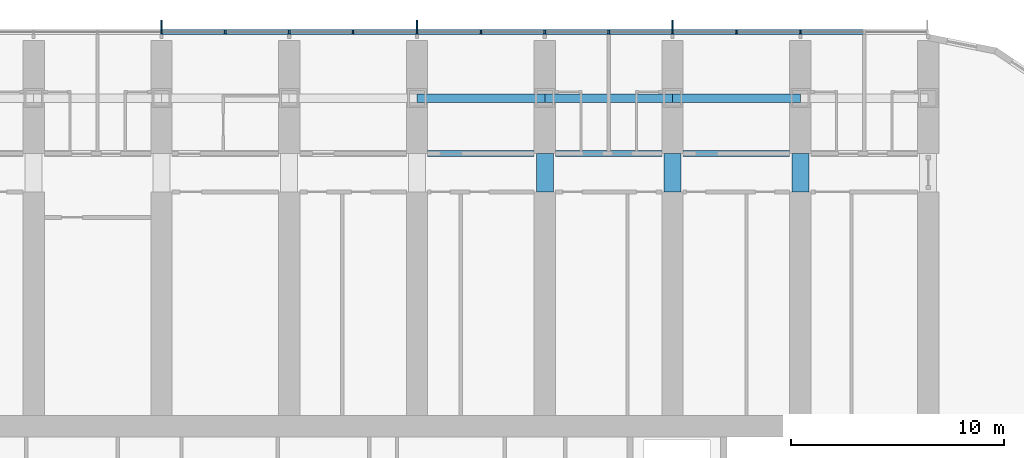
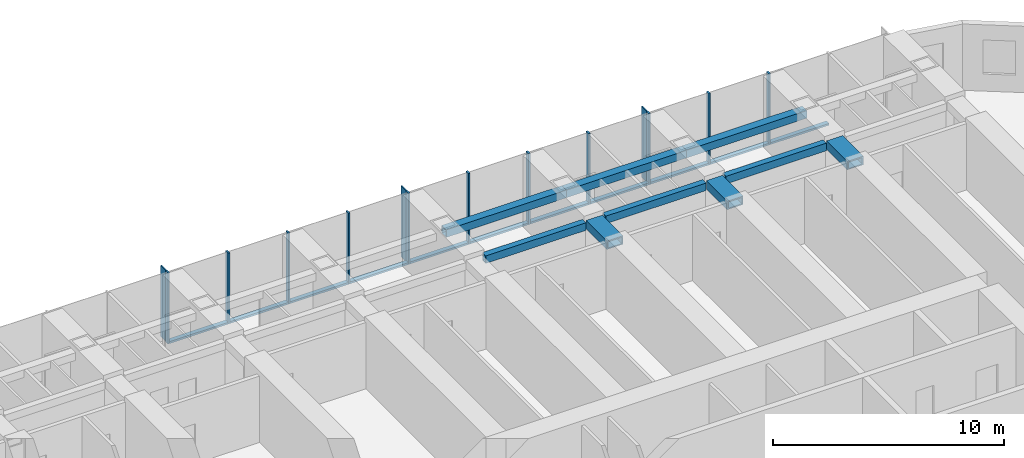
# One storey, part 5 of 23: 25 members, 9 beams, 1 element without a shape of its own.
"""IFC4 building model written with IfcOpenShell, lengths in metres."""

import ifcopenshell
import ifcopenshell.guid

model = None  # the IFC model being written
_history = None  # IfcOwnerHistory: only IFC2X3 demands one
_inside = {}  # id of a spatial element -> (the spatial element, [elements in it])
_under = {}  # id of a project, library or spatial element -> (it, [spatial elements below it])
_declared = {}  # id of a project -> (the project, [libraries it declares])
_typed = {}  # id of a type object -> (the type object, [elements of that type])
_made_of = {}  # id of a material, layer set ... -> (it, [elements and type objects made of it])


def new_model(schema):
    """Start an empty IFC model of exactly this schema.

    Asked for "IFC4X3", IfcOpenShell would pick the latest addendum, in which some entities
    have other attributes; the version numbers below select the first issue.
    IFC2X3 requires an IfcOwnerHistory on every rooted entity: one is made here for all.
    """
    global model, _history
    if schema == "IFC4X3":
        model = ifcopenshell.file(schema_version=(4, 3, 0, 0))
    else:
        model = ifcopenshell.file(schema=schema)
    _inside.clear()
    _under.clear()
    _declared.clear()
    _typed.clear()
    _made_of.clear()
    _history = None
    if model.schema == "IFC2X3":
        org = make("IfcOrganization", Name="unknown")
        user = make(
            "IfcPersonAndOrganization",
            ThePerson=make("IfcPerson", FamilyName="unknown"),
            TheOrganization=org,
        )
        app = make(
            "IfcApplication",
            ApplicationDeveloper=org,
            Version="unknown",
            ApplicationFullName="unknown",
            ApplicationIdentifier="unknown",
        )
        _history = make(
            "IfcOwnerHistory",
            OwningUser=user,
            OwningApplication=app,
            ChangeAction="ADDED",
            CreationDate=0,
        )
    return model


def make(cls, **values):
    """One entity of the class cls with the attributes given. An attribute that is None is left unset."""
    return model.create_entity(
        cls, **{name: value for name, value in values.items() if value is not None}
    )


def rooted(cls, **values):
    """An entity with a GlobalId (a new one), such as an element, a storey or a relation."""
    return make(cls, GlobalId=ifcopenshell.guid.new(), OwnerHistory=_history, **values)


def si_unit(unit_type, name, prefix=None):
    """IfcSIUnit, for example si_unit("LENGTHUNIT", "METRE", prefix="MILLI")."""
    return make("IfcSIUnit", UnitType=unit_type, Prefix=prefix, Name=name)


def assignment(units):
    """IfcUnitAssignment: the units of a project."""
    return None if units is None else make("IfcUnitAssignment", Units=units)


def point(xyz):
    """IfcCartesianPoint."""
    return None if xyz is None else make("IfcCartesianPoint", Coordinates=xyz)


def direction(xyz):
    """IfcDirection."""
    return None if xyz is None else make("IfcDirection", DirectionRatios=xyz)


def frame(location, z_axis=None, x_axis=None):
    """IfcAxis2Placement3D, a coordinate frame: its origin and axes. An axis left out is left unset."""
    return make(
        "IfcAxis2Placement3D",
        Location=point(location),
        Axis=direction(z_axis),
        RefDirection=direction(x_axis),
    )


def frame_2d(location, x_axis=None):
    """IfcAxis2Placement2D, a coordinate frame in the plane: its origin and x axis."""
    return make(
        "IfcAxis2Placement2D", Location=point(location), RefDirection=direction(x_axis)
    )


def origin():
    """The frame at (0, 0, 0) with its axes left unset."""
    return frame((0.0, 0.0, 0.0))


def origin_2d():
    """The frame at (0, 0) in the plane with its x axis left unset."""
    return frame_2d((0.0, 0.0))


def place(relative_to, where):
    """IfcLocalPlacement: puts the frame where relative to a parent placement (None: the world)."""
    return make(
        "IfcLocalPlacement", PlacementRelTo=relative_to, RelativePlacement=where
    )


def context(
    kind, dimensions, precision=None, world=None, true_north=None, identifier=None
):
    """IfcGeometricRepresentationContext, for example the 3D "Model" context."""
    return make(
        "IfcGeometricRepresentationContext",
        ContextIdentifier=identifier,
        ContextType=kind,
        CoordinateSpaceDimension=dimensions,
        Precision=precision,
        WorldCoordinateSystem=world,
        TrueNorth=true_north,
    )


def subcontext(parent, identifier, kind, view, scale=None):
    """IfcGeometricRepresentationSubContext, for example "Body" below "Model"."""
    return make(
        "IfcGeometricRepresentationSubContext",
        ContextIdentifier=identifier,
        ContextType=kind,
        ParentContext=parent,
        TargetScale=scale,
        TargetView=view,
    )


def project(units=None, contexts=None):
    """IfcProject with its units and contexts."""
    return rooted(
        "IfcProject",
        Name="project",
        RepresentationContexts=contexts,
        UnitsInContext=assignment(units),
    )


def spatial(cls, under=None, at=None, **own):
    """A site, building, storey or space (cls), placed at a placement, below another one or the project."""
    s = rooted(cls, ObjectPlacement=at, **own)
    if under is not None:
        _under.setdefault(under.id(), (under, []))[1].append(s)
    return s


def profile(cls, at=None, kind="AREA", **sizes):
    """A parametric profile (cls). Its sizes go by their IFC names, for example OverallWidth=200.0."""
    return make(cls, ProfileType=kind, Position=at, **sizes)


def rectangle(**sizes):
    """IfcRectangleProfileDef."""
    return profile("IfcRectangleProfileDef", **sizes)


def hollow_rectangle(**sizes):
    """IfcRectangleHollowProfileDef."""
    return profile("IfcRectangleHollowProfileDef", **sizes)


def extrude(swept, where, along, depth):
    """IfcExtrudedAreaSolid: the profile swept, set in the frame where, extruded along a direction by depth."""
    return make(
        "IfcExtrudedAreaSolid",
        SweptArea=swept,
        Position=where,
        ExtrudedDirection=direction(along),
        Depth=depth,
    )


def shape(context_of_items, identifier, shape_type, items):
    """IfcShapeRepresentation: the items that make up one representation, for example the "Body"."""
    return make(
        "IfcShapeRepresentation",
        ContextOfItems=context_of_items,
        RepresentationIdentifier=identifier,
        RepresentationType=shape_type,
        Items=items,
    )


def material(Name=None, Category=None):
    """IfcMaterial."""
    return make("IfcMaterial", Name=Name, Category=Category)


def material_profile(
    of_material, cross_section, Name=None, Category=None, Priority=None
):
    """IfcMaterialProfile: a cross section and its material."""
    return make(
        "IfcMaterialProfile",
        Name=Name,
        Material=of_material,
        Profile=cross_section,
        Priority=Priority,
        Category=Category,
    )


def profile_set(profiles, Name=None, composite=None):
    """IfcMaterialProfileSet."""
    return make(
        "IfcMaterialProfileSet",
        Name=Name,
        MaterialProfiles=profiles,
        CompositeProfile=composite,
    )


def made_of(thing, what):
    """Note that an element or type object is made of a material, layer set ...; save() writes the relation."""
    if what is not None:
        _made_of.setdefault(what.id(), (what, []))[1].append(thing)
    return thing


def type_object(cls, material=None, **own):
    """A type object (cls), such as IfcWallType, which elements share."""
    return made_of(rooted(cls, **own), material)


def element(
    cls,
    number,
    at=None,
    inside=None,
    cuts=None,
    type_object=None,
    material=None,
    context=None,
    identifier="Body",
    shape_type=None,
    held_by="IfcProductDefinitionShape",
    body=None,
    shapes=None,
    **own,
):
    """One element of the class cls, such as IfcWall. Its Tag is "e" and its number.

    at: its placement. inside: the storey or other place that contains it. cuts: it is an
    opening in that element (IfcRelVoidsElement). A single representation is given by context,
    identifier, shape_type and body (its items); several are given by shapes. held_by: the class
    of the entity that holds the representations. save() writes the other relations.
    """
    e = rooted(cls, Tag="e%d" % number, ObjectPlacement=at, **own)
    if body is not None:
        shapes = [shape(context, identifier, shape_type, body)]
    if shapes is not None:
        e.Representation = make(held_by, Representations=shapes)
    if inside is not None:
        _inside.setdefault(inside.id(), (inside, []))[1].append(e)
    if cuts is not None:
        rooted(
            "IfcRelVoidsElement", RelatingBuildingElement=cuts, RelatedOpeningElement=e
        )
    if type_object is not None:
        _typed.setdefault(type_object.id(), (type_object, []))[1].append(e)
    return made_of(e, material)


def aggregate(whole, parts):
    """IfcRelAggregates: a whole, such as a stair, and the parts it consists of."""
    return rooted("IfcRelAggregates", RelatingObject=whole, RelatedObjects=parts)


def save(model, path):
    """Write the relations noted so far, then the file.

    IfcRelAggregates (storeys below a building ...), IfcRelContainedInSpatialStructure (elements
    in a storey), IfcRelDefinesByType, IfcRelAssociatesMaterial and IfcRelDeclares: one each for
    every whole, place, type object, material and project.
    """
    for whole, parts in _under.values():
        aggregate(whole, parts)
    for where, things in _inside.values():
        rooted(
            "IfcRelContainedInSpatialStructure",
            RelatedElements=things,
            RelatingStructure=where,
        )
    for kind, things in _typed.values():
        rooted("IfcRelDefinesByType", RelatedObjects=things, RelatingType=kind)
    for what, things in _made_of.values():
        rooted("IfcRelAssociatesMaterial", RelatedObjects=things, RelatingMaterial=what)
    for by, libraries in _declared.values():
        rooted("IfcRelDeclares", RelatingContext=by, RelatedDefinitions=libraries)
    model.write(path)


model = new_model("IFC4")

# Units and contexts
model_context = context("Model", 3, precision=1e-05, world=origin(), true_north=direction((0.0, 1.0)))
body_context = subcontext(model_context, "Body", "Model", "MODEL_VIEW")
ifc_project = project(units=[si_unit("LENGTHUNIT", "METRE"), si_unit("AREAUNIT", "SQUARE_METRE"), si_unit("VOLUMEUNIT", "CUBIC_METRE"), si_unit("PLANEANGLEUNIT", "RADIAN"), si_unit("MASSUNIT", "GRAM", prefix="KILO")], contexts=[model_context])

# Site, building, storey
site_placement = place(None, origin())
site = spatial("IfcSite", under=ifc_project, at=site_placement, CompositionType="ELEMENT")
building_placement = place(site_placement, origin())
building = spatial("IfcBuilding", under=site, at=building_placement, Name="Orbita Commons", CompositionType="ELEMENT")
storey_placement = place(building_placement, frame((0.0, 0.0, 46.449951171875)))
storey = spatial("IfcBuildingStorey", under=building, at=storey_placement, Name="L11", CompositionType="ELEMENT", Elevation=46.449951171875)

# Curtain wall, members
ifc_material_1 = material(Name="Anodised aluminium frame, pale silver", Category="aluminium")
curtain_wall_type = type_object("IfcCurtainWallType", Name="Unitised curtain wall CW-T, vision and spandrel", PredefinedType="NOTDEFINED", material=ifc_material_1)
curtain_wall_placement = place(storey_placement, origin())
curtain_wall = element("IfcCurtainWall", 1, at=curtain_wall_placement, inside=storey, type_object=curtain_wall_type, Name="Curtain wall north L11", PredefinedType="NOTDEFINED")
ifc_material_2 = material(Name="Anodised aluminium, pale silver", Category="aluminium")
ifc_material_profile_1 = material_profile(ifc_material_2, rectangle(XDim=0.080078125, YDim=0.219970703125, at=origin_2d()), Name="AL 80x220")
ifc_profile_set_1 = profile_set([ifc_material_profile_1], Name="Anodised aluminium, pale silver")
member_type_1 = type_object("IfcMemberType", Name="Curtain wall mullion 80x220", PredefinedType="MULLION", material=ifc_profile_set_1)
member_1_placement = place(storey_placement, frame((66.0, 56.7099609375, -0.25), z_axis=(0.0, 0.0, 1.0), x_axis=(-1.0, 0.0, 0.0)))
member_1 = element("IfcMember", 2, at=member_1_placement, type_object=member_type_1, Name="Mullion 3 CW-L11-N", PredefinedType="MULLION", context=body_context, shape_type="SweptSolid", body=[
    extrude(rectangle(XDim=0.080078125, YDim=0.219970703125, at=origin_2d()), origin(), (0.0, 0.0, 1.0), 3.75),
])
member_2_placement = place(storey_placement, frame((63.0, 56.7099609375, -0.25), z_axis=(0.0, 0.0, 1.0), x_axis=(-1.0, 0.0, 0.0)))
member_2 = element("IfcMember", 3, at=member_2_placement, type_object=member_type_1, Name="Mullion 4 CW-L11-N", PredefinedType="MULLION", context=body_context, shape_type="SweptSolid", body=[
    extrude(rectangle(XDim=0.080078125, YDim=0.219970703125, at=origin_2d()), origin(), (0.0, 0.0, 1.0), 3.75),
])
member_3_placement = place(storey_placement, frame((60.0, 56.7099609375, -0.25), z_axis=(0.0, 0.0, 1.0), x_axis=(-1.0, 0.0, 0.0)))
member_3 = element("IfcMember", 4, at=member_3_placement, type_object=member_type_1, Name="Mullion 5 CW-L11-N", PredefinedType="MULLION", context=body_context, shape_type="SweptSolid", body=[
    extrude(rectangle(XDim=0.080078125, YDim=0.219970703125, at=origin_2d()), origin(), (0.0, 0.0, 1.0), 3.75),
])
member_4_placement = place(storey_placement, frame((57.0, 56.7099609375, -0.25), z_axis=(0.0, 0.0, 1.0), x_axis=(-1.0, 0.0, 0.0)))
member_4 = element("IfcMember", 5, at=member_4_placement, type_object=member_type_1, Name="Mullion 6 CW-L11-N", PredefinedType="MULLION", context=body_context, shape_type="SweptSolid", body=[
    extrude(rectangle(XDim=0.080078125, YDim=0.219970703125, at=origin_2d()), origin(), (0.0, 0.0, 1.0), 3.75),
])
member_5_placement = place(storey_placement, frame((54.0, 56.7099609375, -0.25), z_axis=(0.0, 0.0, 1.0), x_axis=(-1.0, 0.0, 0.0)))
member_5 = element("IfcMember", 6, at=member_5_placement, type_object=member_type_1, Name="Mullion 7 CW-L11-N", PredefinedType="MULLION", context=body_context, shape_type="SweptSolid", body=[
    extrude(rectangle(XDim=0.080078125, YDim=0.219970703125, at=origin_2d()), origin(), (0.0, 0.0, 1.0), 3.75),
])
member_6_placement = place(storey_placement, frame((51.0, 56.7099609375, -0.25), z_axis=(0.0, 0.0, 1.0), x_axis=(-1.0, 0.0, 0.0)))
member_6 = element("IfcMember", 7, at=member_6_placement, type_object=member_type_1, Name="Mullion 8 CW-L11-N", PredefinedType="MULLION", context=body_context, shape_type="SweptSolid", body=[
    extrude(rectangle(XDim=0.080078125, YDim=0.219970703125, at=origin_2d()), origin(), (0.0, 0.0, 1.0), 3.75),
])
member_7_placement = place(storey_placement, frame((48.0, 56.7099609375, -0.25), z_axis=(0.0, 0.0, 1.0), x_axis=(-1.0, 0.0, 0.0)))
member_7 = element("IfcMember", 8, at=member_7_placement, type_object=member_type_1, Name="Mullion 9 CW-L11-N", PredefinedType="MULLION", context=body_context, shape_type="SweptSolid", body=[
    extrude(rectangle(XDim=0.080078125, YDim=0.219970703125, at=origin_2d()), origin(), (0.0, 0.0, 1.0), 3.75),
])
member_8_placement = place(storey_placement, frame((45.0, 56.7099609375, -0.25), z_axis=(0.0, 0.0, 1.0), x_axis=(-1.0, 0.0, 0.0)))
member_8 = element("IfcMember", 9, at=member_8_placement, type_object=member_type_1, Name="Mullion 10 CW-L11-N", PredefinedType="MULLION", context=body_context, shape_type="SweptSolid", body=[
    extrude(rectangle(XDim=0.080078125, YDim=0.219970703125, at=origin_2d()), origin(), (0.0, 0.0, 1.0), 3.75),
])
member_9_placement = place(storey_placement, frame((42.0, 56.7099609375, -0.25), z_axis=(0.0, 0.0, 1.0), x_axis=(-1.0, 0.0, 0.0)))
member_9 = element("IfcMember", 10, at=member_9_placement, type_object=member_type_1, Name="Mullion 11 CW-L11-N", PredefinedType="MULLION", context=body_context, shape_type="SweptSolid", body=[
    extrude(rectangle(XDim=0.080078125, YDim=0.219970703125, at=origin_2d()), origin(), (0.0, 0.0, 1.0), 3.75),
])
member_10_placement = place(storey_placement, frame((39.0, 56.7099609375, -0.25), z_axis=(0.0, 0.0, 1.0), x_axis=(-1.0, 0.0, 0.0)))
member_10 = element("IfcMember", 11, at=member_10_placement, type_object=member_type_1, Name="Mullion 12 CW-L11-N", PredefinedType="MULLION", context=body_context, shape_type="SweptSolid", body=[
    extrude(rectangle(XDim=0.080078125, YDim=0.219970703125, at=origin_2d()), origin(), (0.0, 0.0, 1.0), 3.75),
])
member_11_placement = place(storey_placement, frame((36.0, 56.7099609375, -0.25), z_axis=(0.0, 0.0, 1.0), x_axis=(-1.0, 0.0, 0.0)))
member_11 = element("IfcMember", 12, at=member_11_placement, type_object=member_type_1, Name="Mullion 13 CW-L11-N", PredefinedType="MULLION", context=body_context, shape_type="SweptSolid", body=[
    extrude(rectangle(XDim=0.080078125, YDim=0.219970703125, at=origin_2d()), origin(), (0.0, 0.0, 1.0), 3.75),
])
ifc_material_3 = material(Name="Anodised aluminium, pale silver", Category="aluminium")
ifc_material_profile_2 = material_profile(ifc_material_3, rectangle(XDim=0.219970703125, YDim=0.10009765625, at=origin_2d()), Name="AL 220x100")
ifc_profile_set_2 = profile_set([ifc_material_profile_2], Name="Anodised aluminium, pale silver")
member_type_2 = type_object("IfcMemberType", Name="Curtain wall stack transom 220x100", PredefinedType="USERDEFINED", material=ifc_profile_set_2)
member_12_placement = place(storey_placement, frame((68.9599609375, 56.7099609375, -0.199951171875), z_axis=(-1.0, 0.0, 0.0), x_axis=(0.0, -1.0, 0.0)))
member_12 = element("IfcMember", 13, at=member_12_placement, type_object=member_type_2, Name="Transom 2.1 CW-L11-N", ObjectType="TRANSOM", PredefinedType="USERDEFINED", context=body_context, shape_type="SweptSolid", body=[
    extrude(rectangle(XDim=0.219970703125, YDim=0.10009765625, at=origin_2d()), origin(), (0.0, 0.0, 1.0), 2.919921875),
])
member_13_placement = place(storey_placement, frame((65.9599609375, 56.7099609375, -0.199951171875), z_axis=(-1.0, 0.0, 0.0), x_axis=(0.0, -1.0, 0.0)))
member_13 = element("IfcMember", 14, at=member_13_placement, type_object=member_type_2, Name="Transom 3.1 CW-L11-N", ObjectType="TRANSOM", PredefinedType="USERDEFINED", context=body_context, shape_type="SweptSolid", body=[
    extrude(rectangle(XDim=0.219970703125, YDim=0.10009765625, at=origin_2d()), origin(), (0.0, 0.0, 1.0), 2.919921875),
])
member_14_placement = place(storey_placement, frame((62.9599609375, 56.7099609375, -0.199951171875), z_axis=(-1.0, 0.0, 0.0), x_axis=(0.0, -1.0, 0.0)))
member_14 = element("IfcMember", 15, at=member_14_placement, type_object=member_type_2, Name="Transom 4.1 CW-L11-N", ObjectType="TRANSOM", PredefinedType="USERDEFINED", context=body_context, shape_type="SweptSolid", body=[
    extrude(rectangle(XDim=0.219970703125, YDim=0.10009765625, at=origin_2d()), origin(), (0.0, 0.0, 1.0), 2.919921875),
])
member_15_placement = place(storey_placement, frame((59.9599609375, 56.7099609375, -0.199951171875), z_axis=(-1.0, 0.0, 0.0), x_axis=(0.0, -1.0, 0.0)))
member_15 = element("IfcMember", 16, at=member_15_placement, type_object=member_type_2, Name="Transom 5.1 CW-L11-N", ObjectType="TRANSOM", PredefinedType="USERDEFINED", context=body_context, shape_type="SweptSolid", body=[
    extrude(rectangle(XDim=0.219970703125, YDim=0.10009765625, at=origin_2d()), origin(), (0.0, 0.0, 1.0), 2.919921875),
])
member_16_placement = place(storey_placement, frame((56.9599609375, 56.7099609375, -0.199951171875), z_axis=(-1.0, 0.0, 0.0), x_axis=(0.0, -1.0, 0.0)))
member_16 = element("IfcMember", 17, at=member_16_placement, type_object=member_type_2, Name="Transom 6.1 CW-L11-N", ObjectType="TRANSOM", PredefinedType="USERDEFINED", context=body_context, shape_type="SweptSolid", body=[
    extrude(rectangle(XDim=0.219970703125, YDim=0.10009765625, at=origin_2d()), origin(), (0.0, 0.0, 1.0), 2.919921875),
])
member_17_placement = place(storey_placement, frame((53.9599609375, 56.7099609375, -0.199951171875), z_axis=(-1.0, 0.0, 0.0), x_axis=(0.0, -1.0, 0.0)))
member_17 = element("IfcMember", 18, at=member_17_placement, type_object=member_type_2, Name="Transom 7.1 CW-L11-N", ObjectType="TRANSOM", PredefinedType="USERDEFINED", context=body_context, shape_type="SweptSolid", body=[
    extrude(rectangle(XDim=0.219970703125, YDim=0.10009765625, at=origin_2d()), origin(), (0.0, 0.0, 1.0), 2.919921875),
])
member_18_placement = place(storey_placement, frame((50.9599609375, 56.7099609375, -0.199951171875), z_axis=(-1.0, 0.0, 0.0), x_axis=(0.0, -1.0, 0.0)))
member_18 = element("IfcMember", 19, at=member_18_placement, type_object=member_type_2, Name="Transom 8.1 CW-L11-N", ObjectType="TRANSOM", PredefinedType="USERDEFINED", context=body_context, shape_type="SweptSolid", body=[
    extrude(rectangle(XDim=0.219970703125, YDim=0.10009765625, at=origin_2d()), origin(), (0.0, 0.0, 1.0), 2.919921875),
])
member_19_placement = place(storey_placement, frame((47.9599609375, 56.7099609375, -0.199951171875), z_axis=(-1.0, 0.0, 0.0), x_axis=(0.0, -1.0, 0.0)))
member_19 = element("IfcMember", 20, at=member_19_placement, type_object=member_type_2, Name="Transom 9.1 CW-L11-N", ObjectType="TRANSOM", PredefinedType="USERDEFINED", context=body_context, shape_type="SweptSolid", body=[
    extrude(rectangle(XDim=0.219970703125, YDim=0.10009765625, at=origin_2d()), origin(), (0.0, 0.0, 1.0), 2.919921875),
])
member_20_placement = place(storey_placement, frame((44.9599609375, 56.7099609375, -0.199951171875), z_axis=(-1.0, 0.0, 0.0), x_axis=(0.0, -1.0, 0.0)))
member_20 = element("IfcMember", 21, at=member_20_placement, type_object=member_type_2, Name="Transom 10.1 CW-L11-N", ObjectType="TRANSOM", PredefinedType="USERDEFINED", context=body_context, shape_type="SweptSolid", body=[
    extrude(rectangle(XDim=0.219970703125, YDim=0.10009765625, at=origin_2d()), origin(), (0.0, 0.0, 1.0), 2.919921875),
])
member_21_placement = place(storey_placement, frame((41.9599609375, 56.7099609375, -0.199951171875), z_axis=(-1.0, 0.0, 0.0), x_axis=(0.0, -1.0, 0.0)))
member_21 = element("IfcMember", 22, at=member_21_placement, type_object=member_type_2, Name="Transom 11.1 CW-L11-N", ObjectType="TRANSOM", PredefinedType="USERDEFINED", context=body_context, shape_type="SweptSolid", body=[
    extrude(rectangle(XDim=0.219970703125, YDim=0.10009765625, at=origin_2d()), origin(), (0.0, 0.0, 1.0), 2.919921875),
])
member_22_placement = place(storey_placement, frame((38.9599609375, 56.7099609375, -0.199951171875), z_axis=(-1.0, 0.0, 0.0), x_axis=(0.0, -1.0, 0.0)))
member_22 = element("IfcMember", 23, at=member_22_placement, type_object=member_type_2, Name="Transom 12.1 CW-L11-N", ObjectType="TRANSOM", PredefinedType="USERDEFINED", context=body_context, shape_type="SweptSolid", body=[
    extrude(rectangle(XDim=0.219970703125, YDim=0.10009765625, at=origin_2d()), origin(), (0.0, 0.0, 1.0), 2.919921875),
])

# Beams
ifc_material_4 = material(Name="Steel ASTM A572 Gr 50 welded plate", Category="steel")
ifc_material_profile_3 = material_profile(ifc_material_4, hollow_rectangle(XDim=0.300048828125, YDim=0.39990234375, WallThickness=0.0400390625, at=origin_2d()), Name="BOX 400x300x40")
ifc_profile_set_3 = profile_set([ifc_material_profile_3], Name="Steel ASTM A572 Gr 50 welded plate")
beam_type_1 = type_object("IfcBeamType", Name="Steel corridor link BOX 400x300x40", PredefinedType="BEAM", material=ifc_profile_set_3)
for number, where, z_axis, x_axis, name in (
    (24, (48.5, 51.0, 3.300048828125), (1.0, 0.0, 0.0), (0.0, 1.0, 0.0), "Corridor beam NB 9-10 L11"),
    (25, (54.5, 51.0, 3.300048828125), (1.0, 0.0, 0.0), (0.0, 1.0, 0.0), "Corridor beam NB 10-11 L11"),
    (26, (60.5, 51.0, 3.300048828125), (1.0, 0.0, 0.0), (0.0, 1.0, 0.0), "Corridor beam NB 11-12 L11"),
):
    element("IfcBeam", number, at=place(storey_placement, frame(where, z_axis=z_axis, x_axis=x_axis)), inside=storey, type_object=beam_type_1, Name=name, PredefinedType="BEAM", context=body_context, shape_type="SweptSolid", body=[
        extrude(hollow_rectangle(XDim=0.300048828125, YDim=0.39990234375, WallThickness=0.0400390625, at=origin_2d()), origin(), (0.0, 0.0, 1.0), 5.0),
    ])
ifc_material_5 = material(Name="Steel ASTM A572 Gr 50 welded plate", Category="steel")
ifc_material_profile_4 = material_profile(ifc_material_5, hollow_rectangle(XDim=0.800048828125, YDim=0.449951171875, WallThickness=0.06005859375, at=origin_2d()), Name="BOX 450x800x60")
ifc_profile_set_4 = profile_set([ifc_material_profile_4], Name="Steel ASTM A572 Gr 50 welded plate")
beam_type_2 = type_object("IfcBeamType", Name="Steel coupling link BOX 450x800x60", PredefinedType="LINTEL", material=ifc_profile_set_4)
for number, where, z_axis, x_axis, name in (
    (27, (54.0, 49.199951171875, 3.275146484375), (0.0, 1.0, 0.0), (-1.0, 0.0, 0.0), "Coupling beam 10 north L11"),
    (28, (60.0, 49.199951171875, 3.275146484375), (0.0, 1.0, 0.0), (-1.0, 0.0, 0.0), "Coupling beam 11 north L11"),
    (29, (66.0, 49.199951171875, 3.275146484375), (0.0, 1.0, 0.0), (-1.0, 0.0, 0.0), "Coupling beam 12 north L11"),
):
    element("IfcBeam", number, at=place(storey_placement, frame(where, z_axis=z_axis, x_axis=x_axis)), inside=storey, type_object=beam_type_2, Name=name, PredefinedType="LINTEL", context=body_context, shape_type="SweptSolid", body=[
        extrude(hollow_rectangle(XDim=0.800048828125, YDim=0.449951171875, WallThickness=0.06005859375, at=origin_2d()), origin(), (0.0, 0.0, 1.0), 1.800048828125),
    ])
ifc_material_6 = material(Name="Steel ASTM A572 Gr 50 welded plate", Category="steel")
ifc_material_profile_5 = material_profile(ifc_material_6, hollow_rectangle(XDim=0.39990234375, YDim=0.39990234375, WallThickness=0.0400390625, at=origin_2d()), Name="BOX 400x400x40")
ifc_profile_set_5 = profile_set([ifc_material_profile_5], Name="Steel ASTM A572 Gr 50 welded plate")
beam_type_3 = type_object("IfcBeamType", Name="Steel spandrel BOX 400x400x40", PredefinedType="SPANDREL", material=ifc_profile_set_5)
for number, where, z_axis, x_axis, name in (
    (30, (48.0, 53.60009765625, 3.300048828125), (1.0, 0.0, 0.0), (0.0, 1.0, 0.0), "Spandrel beam E 9-10 L11"),
    (31, (54.0, 53.60009765625, 3.300048828125), (1.0, 0.0, 0.0), (0.0, 1.0, 0.0), "Spandrel beam E 10-11 L11"),
    (32, (60.0, 53.60009765625, 3.300048828125), (1.0, 0.0, 0.0), (0.0, 1.0, 0.0), "Spandrel beam E 11-12 L11"),
):
    element("IfcBeam", number, at=place(storey_placement, frame(where, z_axis=z_axis, x_axis=x_axis)), inside=storey, type_object=beam_type_3, Name=name, PredefinedType="SPANDREL", context=body_context, shape_type="SweptSolid", body=[
        extrude(hollow_rectangle(XDim=0.39990234375, YDim=0.39990234375, WallThickness=0.0400390625, at=origin_2d()), origin(), (0.0, 0.0, 1.0), 6.0),
    ])

# Member
ifc_material_7 = material(Name="Anodised aluminium, pale silver", Category="aluminium")
ifc_material_profile_6 = material_profile(ifc_material_7, rectangle(XDim=0.06005859375, YDim=0.449951171875, at=origin_2d()), Name="FIN 60x450")
ifc_profile_set_6 = profile_set([ifc_material_profile_6], Name="Anodised aluminium, pale silver")
member_type_3 = type_object("IfcMemberType", Name="Vertical fin 60x450 pale aluminium", PredefinedType="USERDEFINED", material=ifc_profile_set_6)
member_23_placement = place(storey_placement, frame((60.0, 57.044921875, -0.25), z_axis=(0.0, 0.0, 1.0), x_axis=(-1.0, 0.0, 0.0)))
member_23 = element("IfcMember", 33, at=member_23_placement, type_object=member_type_3, Name="Fin 5 CW-L11-N", ObjectType="FIN", PredefinedType="USERDEFINED", context=body_context, shape_type="SweptSolid", body=[
    extrude(rectangle(XDim=0.06005859375, YDim=0.449951171875, at=origin_2d()), origin(), (0.0, 0.0, 1.0), 3.75),
])

member_24_placement = place(storey_placement, frame((48.0, 57.044921875, -0.25), z_axis=(0.0, 0.0, 1.0), x_axis=(-1.0, 0.0, 0.0)))
member_24 = element("IfcMember", 34, at=member_24_placement, type_object=member_type_3, Name="Fin 9 CW-L11-N", ObjectType="FIN", PredefinedType="USERDEFINED", context=body_context, shape_type="SweptSolid", body=[
    extrude(rectangle(XDim=0.06005859375, YDim=0.449951171875, at=origin_2d()), origin(), (0.0, 0.0, 1.0), 3.75),
])

member_25_placement = place(storey_placement, frame((36.0, 57.044921875, -0.25), z_axis=(0.0, 0.0, 1.0), x_axis=(-1.0, 0.0, 0.0)))
member_25 = element("IfcMember", 35, at=member_25_placement, type_object=member_type_3, Name="Fin 13 CW-L11-N", ObjectType="FIN", PredefinedType="USERDEFINED", context=body_context, shape_type="SweptSolid", body=[
    extrude(rectangle(XDim=0.06005859375, YDim=0.449951171875, at=origin_2d()), origin(), (0.0, 0.0, 1.0), 3.75),
])

aggregate(curtain_wall, [member_1, member_2, member_3, member_23, member_4, member_5, member_6, member_7, member_24, member_8, member_9, member_10, member_11, member_25, member_12, member_13, member_14, member_15, member_16, member_17, member_18, member_19, member_20, member_21, member_22])

save(model, "model.ifc")
